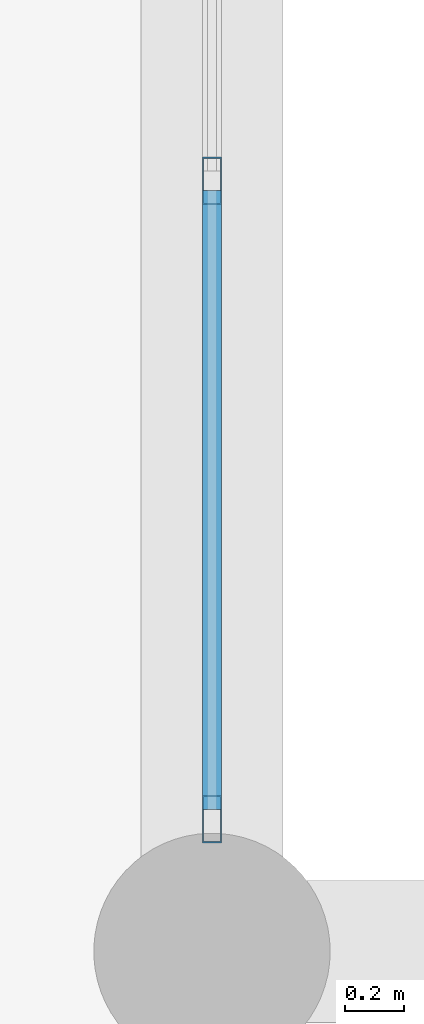
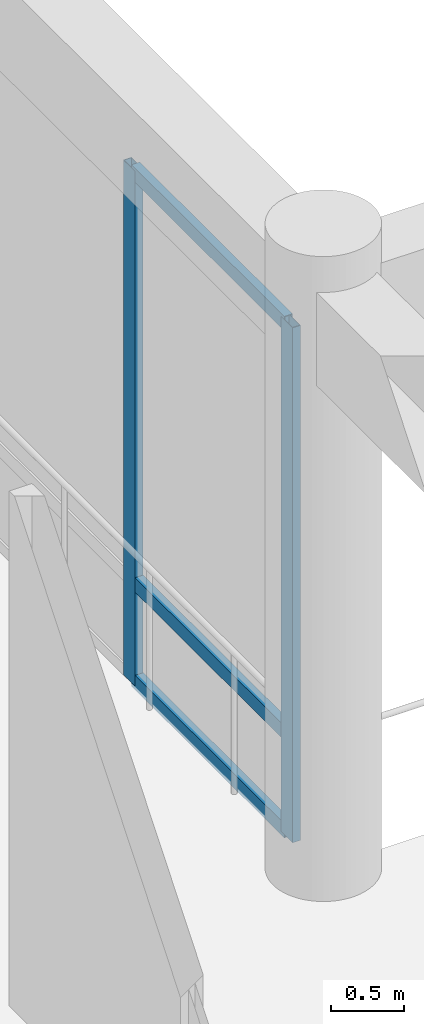
# One storey, part 24 of 134: 5 members, 1 element without a shape of its own.
"""IFC4 building model written with IfcOpenShell, lengths in metres."""

from ifc_helpers import new_model, si_unit, direction, frame, origin, origin_2d, place, context, subcontext, project, spatial, hollow_rectangle, extrude, material, layer, layer_set, material_profile, profile_set, type_object, element, aggregate, save


model = new_model("IFC4")

# Units and contexts
model_context = context("Model", 3, precision=1e-05, world=origin(), true_north=direction((0.0, 1.0)))
body_context = subcontext(model_context, "Body", "Model", "MODEL_VIEW")
ifc_project = project(units=[si_unit("LENGTHUNIT", "METRE"), si_unit("AREAUNIT", "SQUARE_METRE"), si_unit("VOLUMEUNIT", "CUBIC_METRE"), si_unit("PLANEANGLEUNIT", "RADIAN"), si_unit("MASSUNIT", "GRAM", prefix="KILO")], contexts=[model_context])

# Site, building, storey
site_placement = place(None, origin())
site = spatial("IfcSite", under=ifc_project, at=site_placement, CompositionType="ELEMENT")
building_placement = place(site_placement, origin())
building = spatial("IfcBuilding", under=site, at=building_placement, Name="Nakhvara Creek Congress Hotel", CompositionType="ELEMENT")
storey_placement = place(building_placement, frame((0.0, 0.0, 6.0)))
storey = spatial("IfcBuildingStorey", under=building, at=storey_placement, Name="L01", CompositionType="ELEMENT", Elevation=6.0)

# Curtain wall, members
ifc_material_1 = material(Name="Bronze-anodised aluminium AW-6063-T6 and double-silver low-E glass", Category="aluminium")
ifc_layer = layer(ifc_material_1, 0.199951171875)
ifc_layer_set = layer_set([ifc_layer], Name="Bronze-anodised aluminium AW-6063-T6 and double-silver low-E glass")
curtain_wall_type = type_object("IfcCurtainWallType", Name="CW-POD-STICK", PredefinedType="NOTDEFINED", material=ifc_layer_set)
curtain_wall_placement = place(storey_placement, origin())
curtain_wall = element("IfcCurtainWall", 1, at=curtain_wall_placement, inside=storey, type_object=curtain_wall_type, Name="Curtain Wall CW027", PredefinedType="NOTDEFINED")
ifc_material_2 = material(Name="Bronze-anodised aluminium AW-6063-T6", Category="aluminium")
ifc_material_profile_1 = material_profile(ifc_material_2, hollow_rectangle(XDim=0.06494140625, YDim=0.159912109375, WallThickness=0.00390625, at=origin_2d()), Name="ALU-MULL 65x160x4", Category="LoadBearing")
ifc_profile_set_1 = profile_set([ifc_material_profile_1], Name="Bronze-anodised aluminium AW-6063-T6")
member_type_1 = type_object("IfcMemberType", Name="CW-MULL-160", PredefinedType="MULLION", material=ifc_profile_set_1)
member_1_placement = place(storey_placement, frame((76.800048828125, 45.8076171875, 0.0), z_axis=(0.0, 0.0, 1.0), x_axis=(1.0, 0.0, 0.0)))
member_1 = element("IfcMember", 2, at=member_1_placement, type_object=member_type_1, Name="CW027 mullion 4", PredefinedType="MULLION", context=body_context, shape_type="SweptSolid", body=[
    extrude(hollow_rectangle(XDim=0.06494140625, YDim=0.159912109375, WallThickness=0.00390625, at=origin_2d()), origin(), (0.0, 0.0, 1.0), 4.31201171875),
])
member_2_placement = place(storey_placement, frame((76.800048828125, 43.6474609375, 0.0), z_axis=(0.0, 0.0, 1.0), x_axis=(1.0, 0.0, 0.0)))
member_2 = element("IfcMember", 3, at=member_2_placement, type_object=member_type_1, Name="CW027 mullion 5", PredefinedType="MULLION", context=body_context, shape_type="SweptSolid", body=[
    extrude(hollow_rectangle(XDim=0.06494140625, YDim=0.159912109375, WallThickness=0.00390625, at=origin_2d()), origin(), (0.0, 0.0, 1.0), 4.31201171875),
])
ifc_material_profile_2 = material_profile(ifc_material_2, hollow_rectangle(XDim=0.06494140625, YDim=0.1201171875, WallThickness=0.00390625, at=origin_2d()), Name="ALU-TRAN 65x120x4", Category="LoadBearing")
ifc_profile_set_2 = profile_set([ifc_material_profile_2], Name="Bronze-anodised aluminium AW-6063-T6")
member_type_2 = type_object("IfcMemberType", Name="CW-TRAN-120", PredefinedType="USERDEFINED", material=ifc_profile_set_2)
member_3_placement = place(storey_placement, frame((76.800048828125, 45.77490234375, 0.032470703125), z_axis=(0.0, -1.0, 0.0), x_axis=(1.0, 0.0, 0.0)))
member_3 = element("IfcMember", 4, at=member_3_placement, type_object=member_type_2, Name="CW027 transom 4.1", ObjectType="TRANSOM", PredefinedType="USERDEFINED", context=body_context, shape_type="SweptSolid", body=[
    extrude(hollow_rectangle(XDim=0.06494140625, YDim=0.1201171875, WallThickness=0.00390625, at=origin_2d()), origin(), (0.0, 0.0, 1.0), 2.094970703125),
])
member_4_placement = place(storey_placement, frame((76.800048828125, 45.77490234375, 0.85009765625), z_axis=(0.0, -1.0, 0.0), x_axis=(1.0, 0.0, 0.0)))
member_4 = element("IfcMember", 5, at=member_4_placement, type_object=member_type_2, Name="CW027 transom 4.2", ObjectType="TRANSOM", PredefinedType="USERDEFINED", context=body_context, shape_type="SweptSolid", body=[
    extrude(hollow_rectangle(XDim=0.06494140625, YDim=0.1201171875, WallThickness=0.00390625, at=origin_2d()), origin(), (0.0, 0.0, 1.0), 2.094970703125),
])
member_5_placement = place(storey_placement, frame((76.800048828125, 45.77490234375, 4.279541015625), z_axis=(0.0, -1.0, 0.0), x_axis=(1.0, 0.0, 0.0)))
member_5 = element("IfcMember", 6, at=member_5_placement, type_object=member_type_2, Name="CW027 transom 4.3", ObjectType="TRANSOM", PredefinedType="USERDEFINED", context=body_context, shape_type="SweptSolid", body=[
    extrude(hollow_rectangle(XDim=0.06494140625, YDim=0.1201171875, WallThickness=0.00390625, at=origin_2d()), origin(), (0.0, 0.0, 1.0), 2.094970703125),
])
aggregate(curtain_wall, [member_1, member_2, member_3, member_4, member_5])

save(model, "model.ifc")
